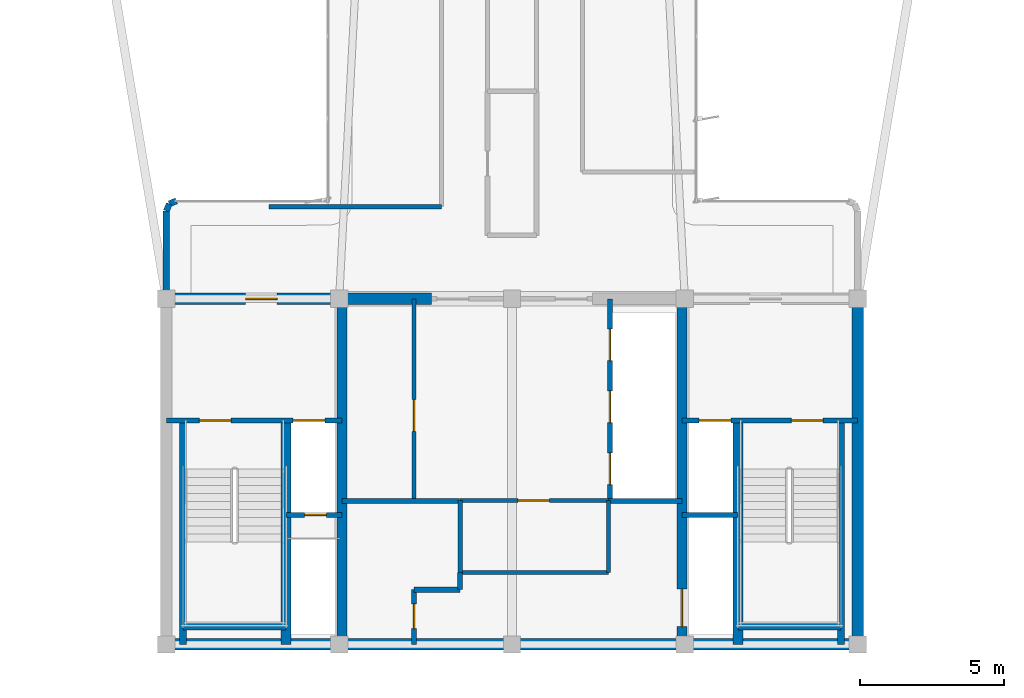
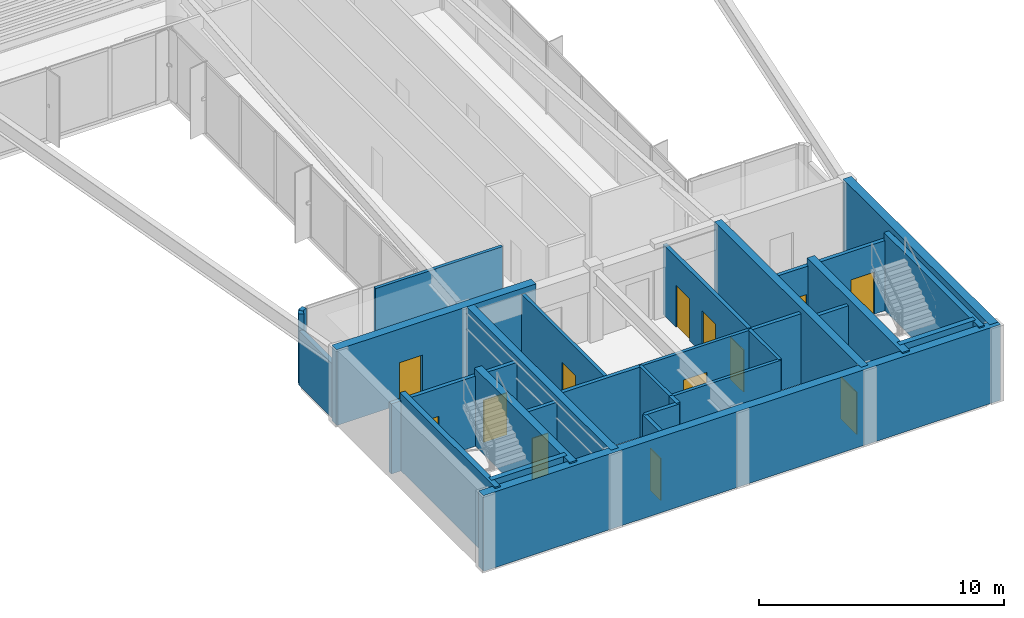
# One storey, part 10 of 16: 30 walls, 13 doors, 13 openings.
"""IFC4 building model written with IfcOpenShell, lengths in metres."""

import ifcopenshell
import ifcopenshell.guid

model = None  # the IFC model being written
_history = None  # IfcOwnerHistory: only IFC2X3 demands one
_inside = {}  # id of a spatial element -> (the spatial element, [elements in it])
_under = {}  # id of a project, library or spatial element -> (it, [spatial elements below it])
_declared = {}  # id of a project -> (the project, [libraries it declares])
_typed = {}  # id of a type object -> (the type object, [elements of that type])
_made_of = {}  # id of a material, layer set ... -> (it, [elements and type objects made of it])


def new_model(schema):
    """Start an empty IFC model of exactly this schema.

    Asked for "IFC4X3", IfcOpenShell would pick the latest addendum, in which some entities
    have other attributes; the version numbers below select the first issue.
    IFC2X3 requires an IfcOwnerHistory on every rooted entity: one is made here for all.
    """
    global model, _history
    if schema == "IFC4X3":
        model = ifcopenshell.file(schema_version=(4, 3, 0, 0))
    else:
        model = ifcopenshell.file(schema=schema)
    _inside.clear()
    _under.clear()
    _declared.clear()
    _typed.clear()
    _made_of.clear()
    _history = None
    if model.schema == "IFC2X3":
        org = make("IfcOrganization", Name="unknown")
        user = make(
            "IfcPersonAndOrganization",
            ThePerson=make("IfcPerson", FamilyName="unknown"),
            TheOrganization=org,
        )
        app = make(
            "IfcApplication",
            ApplicationDeveloper=org,
            Version="unknown",
            ApplicationFullName="unknown",
            ApplicationIdentifier="unknown",
        )
        _history = make(
            "IfcOwnerHistory",
            OwningUser=user,
            OwningApplication=app,
            ChangeAction="ADDED",
            CreationDate=0,
        )
    return model


def make(cls, **values):
    """One entity of the class cls with the attributes given. An attribute that is None is left unset."""
    return model.create_entity(
        cls, **{name: value for name, value in values.items() if value is not None}
    )


def rooted(cls, **values):
    """An entity with a GlobalId (a new one), such as an element, a storey or a relation."""
    return make(cls, GlobalId=ifcopenshell.guid.new(), OwnerHistory=_history, **values)


def si_unit(unit_type, name, prefix=None):
    """IfcSIUnit, for example si_unit("LENGTHUNIT", "METRE", prefix="MILLI")."""
    return make("IfcSIUnit", UnitType=unit_type, Prefix=prefix, Name=name)


def assignment(units):
    """IfcUnitAssignment: the units of a project."""
    return None if units is None else make("IfcUnitAssignment", Units=units)


def point(xyz):
    """IfcCartesianPoint."""
    return None if xyz is None else make("IfcCartesianPoint", Coordinates=xyz)


def direction(xyz):
    """IfcDirection."""
    return None if xyz is None else make("IfcDirection", DirectionRatios=xyz)


def frame(location, z_axis=None, x_axis=None):
    """IfcAxis2Placement3D, a coordinate frame: its origin and axes. An axis left out is left unset."""
    return make(
        "IfcAxis2Placement3D",
        Location=point(location),
        Axis=direction(z_axis),
        RefDirection=direction(x_axis),
    )


def frame_2d(location, x_axis=None):
    """IfcAxis2Placement2D, a coordinate frame in the plane: its origin and x axis."""
    return make(
        "IfcAxis2Placement2D", Location=point(location), RefDirection=direction(x_axis)
    )


def origin():
    """The frame at (0, 0, 0) with its axes left unset."""
    return frame((0.0, 0.0, 0.0))


def origin_2d():
    """The frame at (0, 0) in the plane with its x axis left unset."""
    return frame_2d((0.0, 0.0))


def place(relative_to, where):
    """IfcLocalPlacement: puts the frame where relative to a parent placement (None: the world)."""
    return make(
        "IfcLocalPlacement", PlacementRelTo=relative_to, RelativePlacement=where
    )


def context(
    kind, dimensions, precision=None, world=None, true_north=None, identifier=None
):
    """IfcGeometricRepresentationContext, for example the 3D "Model" context."""
    return make(
        "IfcGeometricRepresentationContext",
        ContextIdentifier=identifier,
        ContextType=kind,
        CoordinateSpaceDimension=dimensions,
        Precision=precision,
        WorldCoordinateSystem=world,
        TrueNorth=true_north,
    )


def subcontext(parent, identifier, kind, view, scale=None):
    """IfcGeometricRepresentationSubContext, for example "Body" below "Model"."""
    return make(
        "IfcGeometricRepresentationSubContext",
        ContextIdentifier=identifier,
        ContextType=kind,
        ParentContext=parent,
        TargetScale=scale,
        TargetView=view,
    )


def project(units=None, contexts=None):
    """IfcProject with its units and contexts."""
    return rooted(
        "IfcProject",
        Name="project",
        RepresentationContexts=contexts,
        UnitsInContext=assignment(units),
    )


def spatial(cls, under=None, at=None, **own):
    """A site, building, storey or space (cls), placed at a placement, below another one or the project."""
    s = rooted(cls, ObjectPlacement=at, **own)
    if under is not None:
        _under.setdefault(under.id(), (under, []))[1].append(s)
    return s


def profile(cls, at=None, kind="AREA", **sizes):
    """A parametric profile (cls). Its sizes go by their IFC names, for example OverallWidth=200.0."""
    return make(cls, ProfileType=kind, Position=at, **sizes)


def rectangle(**sizes):
    """IfcRectangleProfileDef."""
    return profile("IfcRectangleProfileDef", **sizes)


def extrude(swept, where, along, depth):
    """IfcExtrudedAreaSolid: the profile swept, set in the frame where, extruded along a direction by depth."""
    return make(
        "IfcExtrudedAreaSolid",
        SweptArea=swept,
        Position=where,
        ExtrudedDirection=direction(along),
        Depth=depth,
    )


def shape(context_of_items, identifier, shape_type, items):
    """IfcShapeRepresentation: the items that make up one representation, for example the "Body"."""
    return make(
        "IfcShapeRepresentation",
        ContextOfItems=context_of_items,
        RepresentationIdentifier=identifier,
        RepresentationType=shape_type,
        Items=items,
    )


def source(mapping_origin, context_of_items, identifier, shape_type, items):
    """IfcRepresentationMap: a shape defined once, which mapped items show again and again."""
    return make(
        "IfcRepresentationMap",
        MappingOrigin=mapping_origin,
        MappedRepresentation=shape(context_of_items, identifier, shape_type, items),
    )


def transform(
    local_origin,
    x_axis=None,
    y_axis=None,
    z_axis=None,
    scale=None,
    scale2=None,
    scale3=None,
    uniform=True,
):
    """IfcCartesianTransformationOperator3D, or its non-uniform kind. x_axis, y_axis, z_axis: its Axis1, 2, 3."""
    if uniform:
        return make(
            "IfcCartesianTransformationOperator3D",
            Axis1=direction(x_axis),
            Axis2=direction(y_axis),
            LocalOrigin=point(local_origin),
            Scale=scale,
            Axis3=direction(z_axis),
        )
    return make(
        "IfcCartesianTransformationOperator3DnonUniform",
        Axis1=direction(x_axis),
        Axis2=direction(y_axis),
        LocalOrigin=point(local_origin),
        Scale=scale,
        Axis3=direction(z_axis),
        Scale2=scale2,
        Scale3=scale3,
    )


def mapped(mapping_source, mapping_target):
    """IfcMappedItem: shows the shape of a source again, moved by a transform."""
    return make(
        "IfcMappedItem", MappingSource=mapping_source, MappingTarget=mapping_target
    )


def material(Name=None, Category=None):
    """IfcMaterial."""
    return make("IfcMaterial", Name=Name, Category=Category)


def layer(
    of_material, thickness, ventilated=None, Name=None, Category=None, Priority=None
):
    """IfcMaterialLayer: one layer of a wall or slab, of a material (None: an air gap)."""
    return make(
        "IfcMaterialLayer",
        Material=of_material,
        LayerThickness=thickness,
        IsVentilated=ventilated,
        Name=Name,
        Category=Category,
        Priority=Priority,
    )


def layer_set(layers, Name=None):
    """IfcMaterialLayerSet."""
    return make("IfcMaterialLayerSet", MaterialLayers=layers, LayerSetName=Name)


def made_of(thing, what):
    """Note that an element or type object is made of a material, layer set ...; save() writes the relation."""
    if what is not None:
        _made_of.setdefault(what.id(), (what, []))[1].append(thing)
    return thing


def type_object(cls, material=None, **own):
    """A type object (cls), such as IfcWallType, which elements share."""
    return made_of(rooted(cls, **own), material)


def element(
    cls,
    number,
    at=None,
    inside=None,
    cuts=None,
    type_object=None,
    material=None,
    context=None,
    identifier="Body",
    shape_type=None,
    held_by="IfcProductDefinitionShape",
    body=None,
    shapes=None,
    **own,
):
    """One element of the class cls, such as IfcWall. Its Tag is "e" and its number.

    at: its placement. inside: the storey or other place that contains it. cuts: it is an
    opening in that element (IfcRelVoidsElement). A single representation is given by context,
    identifier, shape_type and body (its items); several are given by shapes. held_by: the class
    of the entity that holds the representations. save() writes the other relations.
    """
    e = rooted(cls, Tag="e%d" % number, ObjectPlacement=at, **own)
    if body is not None:
        shapes = [shape(context, identifier, shape_type, body)]
    if shapes is not None:
        e.Representation = make(held_by, Representations=shapes)
    if inside is not None:
        _inside.setdefault(inside.id(), (inside, []))[1].append(e)
    if cuts is not None:
        rooted(
            "IfcRelVoidsElement", RelatingBuildingElement=cuts, RelatedOpeningElement=e
        )
    if type_object is not None:
        _typed.setdefault(type_object.id(), (type_object, []))[1].append(e)
    return made_of(e, material)


def fill(opening, filler):
    """IfcRelFillsElement: the door or window that sits in an opening."""
    return rooted(
        "IfcRelFillsElement",
        RelatingOpeningElement=opening,
        RelatedBuildingElement=filler,
    )


def aggregate(whole, parts):
    """IfcRelAggregates: a whole, such as a stair, and the parts it consists of."""
    return rooted("IfcRelAggregates", RelatingObject=whole, RelatedObjects=parts)


def save(model, path):
    """Write the relations noted so far, then the file.

    IfcRelAggregates (storeys below a building ...), IfcRelContainedInSpatialStructure (elements
    in a storey), IfcRelDefinesByType, IfcRelAssociatesMaterial and IfcRelDeclares: one each for
    every whole, place, type object, material and project.
    """
    for whole, parts in _under.values():
        aggregate(whole, parts)
    for where, things in _inside.values():
        rooted(
            "IfcRelContainedInSpatialStructure",
            RelatedElements=things,
            RelatingStructure=where,
        )
    for kind, things in _typed.values():
        rooted("IfcRelDefinesByType", RelatedObjects=things, RelatingType=kind)
    for what, things in _made_of.values():
        rooted("IfcRelAssociatesMaterial", RelatedObjects=things, RelatingMaterial=what)
    for by, libraries in _declared.values():
        rooted("IfcRelDeclares", RelatingContext=by, RelatedDefinitions=libraries)
    model.write(path)


model = new_model("IFC4")

# Units and contexts
model_context = context("Model", 3, precision=1e-05, world=origin(), true_north=direction((0.0, 1.0)))
body_context = subcontext(model_context, "Body", "Model", "MODEL_VIEW")
ifc_project = project(units=[si_unit("LENGTHUNIT", "METRE"), si_unit("AREAUNIT", "SQUARE_METRE"), si_unit("VOLUMEUNIT", "CUBIC_METRE"), si_unit("PLANEANGLEUNIT", "RADIAN"), si_unit("MASSUNIT", "GRAM", prefix="KILO")], contexts=[model_context])

# Site, building, storey
site_placement = place(None, origin())
site = spatial("IfcSite", under=ifc_project, at=site_placement, CompositionType="ELEMENT")
building_placement = place(site_placement, origin())
building = spatial("IfcBuilding", under=site, at=building_placement, Name="Brelvock Crest Care Tower", CompositionType="ELEMENT")
storey_placement = place(building_placement, frame((0.0, 0.0, 226.800048828125)))
storey = spatial("IfcBuildingStorey", under=building, at=storey_placement, Name="L57", CompositionType="ELEMENT", Elevation=226.800048828125)

# Walls
ifc_material_1 = material(Name="Concrete S65 (65 MPa)", Category="concrete")
ifc_layer_1 = layer(ifc_material_1, 0.39990234375, Name="WL-CS4")
ifc_layer_set_1 = layer_set([ifc_layer_1], Name="Concrete S65 (65 MPa)")
wall_type_1 = type_object("IfcWallType", Name="WL-CS4", PredefinedType="SHEAR", material=ifc_layer_set_1)
wall_1_placement = place(storey_placement, frame((48.199951171875, 6.0, 0.0), z_axis=(0.0, 0.0, 1.0), x_axis=(-1.0, 0.0, 0.0)))
element("IfcWall", 1, at=wall_1_placement, inside=storey, type_object=wall_type_1, Name="L57 Core South Shear Wall", PredefinedType="SHEAR", context=body_context, shape_type="SweptSolid", body=[
    extrude(rectangle(XDim=24.39990234375, YDim=0.39990234375, at=frame_2d((12.199951171875, 0.0))), origin(), (0.0, 0.0, 1.0), 3.780029296875),
])
wall_2_placement = place(storey_placement, frame((48.0, 18.0, 0.0), z_axis=(0.0, 0.0, 1.0), x_axis=(0.0, -1.0, 0.0)))
element("IfcWall", 2, at=wall_2_placement, inside=storey, type_object=wall_type_1, Name="L57 Core East Shear Wall", PredefinedType="SHEAR", context=body_context, shape_type="SweptSolid", body=[
    extrude(rectangle(XDim=12.0, YDim=0.39990234375, at=frame_2d((6.0, 0.0))), origin(), (0.0, 0.0, 1.0), 3.780029296875),
])

# Wall, opening, door
wall_3_placement = place(storey_placement, frame((23.800048828125, 18.0, 0.0), z_axis=(0.0, 0.0, 1.0), x_axis=(1.0, 0.0, 0.0)))
wall_3 = element("IfcWall", 3, at=wall_3_placement, inside=storey, type_object=wall_type_1, Name="L57 Core North-West Shear Wall", PredefinedType="SHEAR", context=body_context, shape_type="SweptSolid", body=[
    extrude(rectangle(XDim=9.39990234375, YDim=0.39990234375, at=frame_2d((4.699951171875, 0.0))), origin(), (0.0, 0.0, 1.0), 3.780029296875),
])
opening_1_placement = place(wall_3_placement, frame((2.949951171875, 0.0, 0.0)))
opening_1 = element("IfcOpeningElement", 4, at=opening_1_placement, cuts=wall_3, Name="Opening FD-1", PredefinedType="OPENING", context=body_context, shape_type="SweptSolid", body=[
    extrude(rectangle(XDim=1.10009765625, YDim=2.10009765625, at=origin_2d()), frame((0.550048828125, 0.2099609375, 1.050048828125), z_axis=(0.0, -1.0, 0.0), x_axis=(1.0, 0.0, 0.0)), (0.0, 0.0, 1.0), 0.419921875),
])
ifc_material_2 = material(Name="Steel Grade 350", Category="steel")
door_type_1 = type_object("IfcDoorType", Name="DR-FFL1", OperationType="NOTDEFINED", PredefinedType="DOOR", material=ifc_material_2)
shared_shape_1 = source(origin(), body_context, "Body", "SweptSolid", [
    extrude(rectangle(XDim=1.10009765625, YDim=2.10009765625, at=origin_2d()), frame((0.550048828125, 0.02490234375, 1.050048828125), z_axis=(0.0, -1.0, 0.0), x_axis=(1.0, 0.0, 0.0)), (0.0, 0.0, 1.0), 0.050048828125),
])
door_1_placement = place(opening_1_placement, origin())
door_1 = element("IfcDoor", 5, at=door_1_placement, inside=storey, type_object=door_type_1, Name="L57 Firefighting Lobby FFL-1 Exit Door", OperationType="SINGLE_SWING_LEFT", OverallHeight=2.10009765625, OverallWidth=1.10009765625, PredefinedType="DOOR", context=body_context, shape_type="MappedRepresentation", body=[
    mapped(shared_shape_1, transform((0.0, 0.0, 0.0), x_axis=(1.0, 0.0, 0.0), y_axis=(0.0, 1.0, 0.0), z_axis=(0.0, 0.0, 1.0), scale=1.0)),
])
fill(opening_1, door_1)

# Wall
ifc_material_3 = material(Name="Concrete S80 (80 MPa)", Category="concrete")
ifc_layer_2 = layer(ifc_material_3, 0.35009765625, Name="WL-CS5")
ifc_layer_set_2 = layer_set([ifc_layer_2], Name="Concrete S80 (80 MPa)")
wall_type_2 = type_object("IfcWallType", Name="WL-CS5", PredefinedType="SHEAR", material=ifc_layer_set_2)
wall_4_placement = place(storey_placement, frame((30.10009765625, 6.0, 0.0), z_axis=(0.0, 0.0, 1.0), x_axis=(0.0, 1.0, 0.0)))
element("IfcWall", 6, at=wall_4_placement, inside=storey, type_object=wall_type_2, Name="L57 Core Internal Web Wall West", PredefinedType="SHEAR", context=body_context, shape_type="SweptSolid", body=[
    extrude(rectangle(XDim=12.0, YDim=0.35009765625, at=frame_2d((6.0, 0.0))), origin(), (0.0, 0.0, 1.0), 3.780029296875),
])

# Wall, opening, door
wall_5_placement = place(storey_placement, frame((41.89990234375, 18.0, 0.0), z_axis=(0.0, 0.0, 1.0), x_axis=(0.0, -1.0, 0.0)))
wall_5 = element("IfcWall", 7, at=wall_5_placement, inside=storey, type_object=wall_type_2, Name="L57 Core Internal Web Wall East", PredefinedType="SHEAR", context=body_context, shape_type="SweptSolid", body=[
    extrude(rectangle(XDim=12.0, YDim=0.35009765625, at=frame_2d((6.0, 0.0))), origin(), (0.0, 0.0, 1.0), 3.780029296875),
])
opening_2_placement = place(wall_5_placement, frame((10.080078125, 0.0, 0.0)))
opening_2 = element("IfcOpeningElement", 8, at=opening_2_placement, cuts=wall_5, Name="Opening LD-S", PredefinedType="OPENING", context=body_context, shape_type="SweptSolid", body=[
    extrude(rectangle(XDim=1.300048828125, YDim=2.10009765625, at=origin_2d()), frame((0.64990234375, 0.18505859375, 1.050048828125), z_axis=(0.0, -1.0, 0.0), x_axis=(1.0, 0.0, 0.0)), (0.0, 0.0, 1.0), 0.3701171875),
])
door_type_2 = type_object("IfcDoorType", Name="DR-LDS1", OperationType="NOTDEFINED", PredefinedType="DOOR", material=ifc_material_2)
shared_shape_2 = source(origin(), body_context, "Body", "SweptSolid", [
    extrude(rectangle(XDim=1.300048828125, YDim=2.10009765625, at=origin_2d()), frame((0.64990234375, 0.02490234375, 1.050048828125), z_axis=(0.0, -1.0, 0.0), x_axis=(1.0, 0.0, 0.0)), (0.0, 0.0, 1.0), 0.050048828125),
])
door_2_placement = place(opening_2_placement, origin())
door_2 = element("IfcDoor", 9, at=door_2_placement, inside=storey, type_object=door_type_2, Name="L57 Clinical Bed Lift SL-1 Landing Door", OperationType="SLIDING_TO_LEFT", OverallHeight=2.10009765625, OverallWidth=1.300048828125, PredefinedType="DOOR", context=body_context, shape_type="MappedRepresentation", body=[
    mapped(shared_shape_2, transform((0.0, 0.0, 0.0), x_axis=(1.0, 0.0, 0.0), y_axis=(0.0, 1.0, 0.0), z_axis=(0.0, 0.0, 1.0), scale=1.0)),
])
fill(opening_2, door_2)

# Walls
for number, where, z_axis, x_axis, name in (
    (10, (28.14990234375, 6.0, 0.0), (0.0, 0.0, 1.0), (0.0, 1.0, 0.0), "L57 Core Stair ST-1 East Shear Wall"),
    (11, (43.85009765625, 6.0, 0.0), (0.0, 0.0, 1.0), (0.0, 1.0, 0.0), "L57 Core Stair ST-2 West Shear Wall"),
):
    element("IfcWall", number, at=place(storey_placement, frame(where, z_axis=z_axis, x_axis=x_axis)), inside=storey, type_object=wall_type_2, Name=name, PredefinedType="SHEAR", context=body_context, shape_type="SweptSolid", body=[
        extrude(rectangle(XDim=7.780029296875, YDim=0.35009765625, at=frame_2d((3.89013671875, 0.0))), origin(), (0.0, 0.0, 1.0), 3.849853515625),
    ])
ifc_layer_3 = layer(ifc_material_3, 0.25, Name="WL-CS6")
ifc_layer_set_3 = layer_set([ifc_layer_3], Name="Concrete S80 (80 MPa)")
wall_type_3 = type_object("IfcWallType", Name="WL-CS6", PredefinedType="SHEAR", material=ifc_layer_set_3)
wall_6_placement = place(storey_placement, frame((24.580078125, 6.0, 0.0), z_axis=(0.0, 0.0, 1.0), x_axis=(0.0, 1.0, 0.0)))
element("IfcWall", 12, at=wall_6_placement, inside=storey, type_object=wall_type_3, Name="L57 Core Stair ST-1 West Shear Wall", PredefinedType="SHEAR", context=body_context, shape_type="SweptSolid", body=[
    extrude(rectangle(XDim=7.780029296875, YDim=0.25, at=frame_2d((3.89013671875, 0.0))), origin(), (0.0, 0.0, 1.0), 3.849853515625),
])
wall_7_placement = place(storey_placement, frame((24.580078125, 6.6201171875, 0.0), z_axis=(0.0, 0.0, 1.0), x_axis=(1.0, 0.0, 0.0)))
element("IfcWall", 13, at=wall_7_placement, inside=storey, type_object=wall_type_3, Name="L57 Core Stair ST-1 South Shear Wall", PredefinedType="SHEAR", context=body_context, shape_type="SweptSolid", body=[
    extrude(rectangle(XDim=3.56982421875, YDim=0.25, at=frame_2d((1.784912109375, 0.0))), origin(), (0.0, 0.0, 1.0), 3.849853515625),
])
wall_8_placement = place(storey_placement, frame((47.419921875, 6.0, 0.0), z_axis=(0.0, 0.0, 1.0), x_axis=(0.0, 1.0, 0.0)))
element("IfcWall", 14, at=wall_8_placement, inside=storey, type_object=wall_type_3, Name="L57 Core Stair ST-2 East Shear Wall", PredefinedType="SHEAR", context=body_context, shape_type="SweptSolid", body=[
    extrude(rectangle(XDim=7.780029296875, YDim=0.25, at=frame_2d((3.89013671875, 0.0))), origin(), (0.0, 0.0, 1.0), 3.849853515625),
])
wall_9_placement = place(storey_placement, frame((43.85009765625, 6.6201171875, 0.0), z_axis=(0.0, 0.0, 1.0), x_axis=(1.0, 0.0, 0.0)))
element("IfcWall", 15, at=wall_9_placement, inside=storey, type_object=wall_type_3, Name="L57 Core Stair ST-2 South Shear Wall", PredefinedType="SHEAR", context=body_context, shape_type="SweptSolid", body=[
    extrude(rectangle(XDim=3.56982421875, YDim=0.25, at=frame_2d((1.784912109375, 0.0))), origin(), (0.0, 0.0, 1.0), 3.849853515625),
])
ifc_material_4 = material(Name="Precast concrete N40 (40 MPa)", Category="concrete")
ifc_layer_4 = layer(ifc_material_4, 0.215087890625, Name="WL-EX2")
ifc_layer_set_4 = layer_set([ifc_layer_4], Name="Precast concrete N40 (40 MPa)")
wall_type_4 = type_object("IfcWallType", Name="WL-EX2", PredefinedType="SOLIDWALL", material=ifc_layer_set_4)
wall_10_placement = place(storey_placement, frame((24.0, 18.280029296875, 0.0), z_axis=(0.0, 0.0, 1.0), x_axis=(0.0, 1.0, 0.0)))
element("IfcWall", 16, at=wall_10_placement, inside=storey, type_object=wall_type_4, Name="L57 Rounded Corner Wall 07", PredefinedType="SOLIDWALL", context=body_context, shape_type="SweptSolid", body=[
    extrude(rectangle(XDim=2.77001953125, YDim=0.215087890625, at=frame_2d((1.385009765625, 0.0))), origin(), (0.0, 0.0, 1.0), 2.718017578125),
])
wall_11_placement = place(storey_placement, frame((24.0, 21.050048828125, 0.0), z_axis=(0.0, 0.0, 1.0), x_axis=(0.382673670509, 0.923883575944, 0.0)))
element("IfcWall", 17, at=wall_11_placement, inside=storey, type_object=wall_type_4, Name="L57 Rounded Corner Wall 08", PredefinedType="SOLIDWALL", context=body_context, shape_type="SweptSolid", body=[
    extrude(rectangle(XDim=0.26806640625, YDim=0.215087890625, at=frame_2d((0.134033203125, 0.0))), origin(), (0.0, 0.0, 1.0), 3.530029296875),
])
wall_12_placement = place(storey_placement, frame((24.1025390625, 21.297607421875, 0.0), z_axis=(0.0, 0.0, 1.0), x_axis=(0.924205486139, 0.381895560841, 0.0)))
element("IfcWall", 18, at=wall_12_placement, inside=storey, type_object=wall_type_4, Name="L57 Rounded Corner Wall 09", PredefinedType="SOLIDWALL", context=body_context, shape_type="SweptSolid", body=[
    extrude(rectangle(XDim=0.267822265625, YDim=0.215087890625, at=frame_2d((0.1337890625, 0.0))), origin(), (0.0, 0.0, 1.0), 3.530029296875),
])

# Wall, opening, door
ifc_material_5 = material(Name="Masonry Blockwork Acoustic Partition", Category="masonry")
ifc_layer_5 = layer(ifc_material_5, 0.14990234375, Name="WL-INT1")
ifc_layer_set_5 = layer_set([ifc_layer_5], Name="Masonry Blockwork Acoustic Partition")
wall_type_5 = type_object("IfcWallType", Name="WL-INT1", PredefinedType="PARTITIONING", material=ifc_layer_set_5)
wall_13_placement = place(storey_placement, frame((32.60009765625, 11.0, 0.0), z_axis=(0.0, 0.0, 1.0), x_axis=(0.0, 1.0, 0.0)))
wall_13 = element("IfcWall", 19, at=wall_13_placement, inside=storey, type_object=wall_type_5, Name="L57 Interior Wall WL-CRCL-E-L57", PredefinedType="PARTITIONING", context=body_context, shape_type="SweptSolid", body=[
    extrude(rectangle(XDim=7.0, YDim=0.14990234375, at=frame_2d((3.5, 0.0))), origin(), (0.0, 0.0, 1.0), 3.5),
])
opening_3_placement = place(wall_13_placement, frame((2.39990234375, 0.0, 0.0)))
opening_3 = element("IfcOpeningElement", 20, at=opening_3_placement, cuts=wall_13, Name="Opening PD-1", PredefinedType="OPENING", context=body_context, shape_type="SweptSolid", body=[
    extrude(rectangle(XDim=1.10009765625, YDim=2.10009765625, at=origin_2d()), frame((0.550048828125, 0.0849609375, 1.050048828125), z_axis=(0.0, -1.0, 0.0), x_axis=(1.0, 0.0, 0.0)), (0.0, 0.0, 1.0), 0.169921875),
])
door_type_3 = type_object("IfcDoorType", Name="DR-PLT1", OperationType="NOTDEFINED", PredefinedType="DOOR", material=ifc_material_2)
shared_shape_3 = source(origin(), body_context, "Body", "SweptSolid", [
    extrude(rectangle(XDim=1.10009765625, YDim=2.10009765625, at=origin_2d()), frame((0.550048828125, 0.02490234375, 1.050048828125), z_axis=(0.0, -1.0, 0.0), x_axis=(1.0, 0.0, 0.0)), (0.0, 0.0, 1.0), 0.050048828125),
])
door_3_placement = place(opening_3_placement, origin())
door_3 = element("IfcDoor", 21, at=door_3_placement, inside=storey, type_object=door_type_3, Name="DR-CRCL1-L57", OperationType="SINGLE_SWING_LEFT", OverallHeight=2.10009765625, OverallWidth=1.10009765625, PredefinedType="DOOR", context=body_context, shape_type="MappedRepresentation", body=[
    mapped(shared_shape_3, transform((0.0, 0.0, 0.0), x_axis=(1.0, 0.0, 0.0), y_axis=(0.0, 1.0, 0.0), z_axis=(0.0, 0.0, 1.0), scale=1.0)),
])
fill(opening_3, door_3)

# Walls
wall_14_placement = place(storey_placement, frame((34.199951171875, 8.5, 0.0), z_axis=(0.0, 0.0, 1.0), x_axis=(1.0, 0.0, 0.0)))
element("IfcWall", 22, at=wall_14_placement, inside=storey, type_object=wall_type_5, Name="L57 Interior Wall WL-CRCM-S-L57", PredefinedType="PARTITIONING", context=body_context, shape_type="SweptSolid", body=[
    extrude(rectangle(XDim=5.150146484375, YDim=0.14990234375, at=frame_2d((2.5751953125, 0.0))), origin(), (0.0, 0.0, 1.0), 3.5),
])
for number, where, z_axis, x_axis, name in (
    (23, (34.199951171875, 8.5, 0.0), (0.0, 0.0, 1.0), (0.0, 1.0, 0.0), "L57 Interior Wall WL-CRCM-W-L57"),
    (24, (39.35009765625, 8.5, 0.0), (0.0, 0.0, 1.0), (0.0, 1.0, 0.0), "L57 Interior Wall WL-CRCM-E-L57"),
):
    element("IfcWall", number, at=place(storey_placement, frame(where, z_axis=z_axis, x_axis=x_axis)), inside=storey, type_object=wall_type_5, Name=name, PredefinedType="PARTITIONING", context=body_context, shape_type="SweptSolid", body=[
        extrude(rectangle(XDim=2.5, YDim=0.14990234375, at=frame_2d((1.25, 0.0))), origin(), (0.0, 0.0, 1.0), 3.5),
    ])

# Wall, opening, door
wall_15_placement = place(storey_placement, frame((34.199951171875, 11.0, 0.0), z_axis=(0.0, 0.0, 1.0), x_axis=(1.0, 0.0, 0.0)))
wall_15 = element("IfcWall", 25, at=wall_15_placement, inside=storey, type_object=wall_type_5, Name="L57 Interior Wall WL-CRCM-N-L57", PredefinedType="PARTITIONING", context=body_context, shape_type="SweptSolid", body=[
    extrude(rectangle(XDim=5.150146484375, YDim=0.14990234375, at=frame_2d((2.5751953125, 0.0))), origin(), (0.0, 0.0, 1.0), 3.5),
])
opening_4_placement = place(wall_15_placement, frame((2.0, 0.0, 0.0)))
opening_4 = element("IfcOpeningElement", 26, at=opening_4_placement, cuts=wall_15, Name="Opening PD-1", PredefinedType="OPENING", context=body_context, shape_type="SweptSolid", body=[
    extrude(rectangle(XDim=1.10009765625, YDim=2.10009765625, at=origin_2d()), frame((0.550048828125, 0.0849609375, 1.050048828125), z_axis=(0.0, -1.0, 0.0), x_axis=(1.0, 0.0, 0.0)), (0.0, 0.0, 1.0), 0.169921875),
])
door_4_placement = place(opening_4_placement, origin())
door_4 = element("IfcDoor", 27, at=door_4_placement, inside=storey, type_object=door_type_3, Name="DR-CRCM1-L57", OperationType="SINGLE_SWING_LEFT", OverallHeight=2.10009765625, OverallWidth=1.10009765625, PredefinedType="DOOR", context=body_context, shape_type="MappedRepresentation", body=[
    mapped(shared_shape_3, transform((0.0, 0.0, 0.0), x_axis=(1.0, 0.0, 0.0), y_axis=(0.0, 1.0, 0.0), z_axis=(0.0, 0.0, 1.0), scale=1.0)),
])
fill(opening_4, door_4)

# Walls
wall_16_placement = place(storey_placement, frame((27.5576171875, 21.199951171875, 0.0), z_axis=(0.0, 0.0, 1.0), x_axis=(1.0, 0.0, 0.0)))
element("IfcWall", 28, at=wall_16_placement, inside=storey, type_object=wall_type_5, Name="L57 Interior Wall WL-BX-L57-THRW-S", PredefinedType="PARTITIONING", context=body_context, shape_type="SweptSolid", body=[
    extrude(rectangle(XDim=5.992431640625, YDim=0.14990234375, at=frame_2d((2.99609375, 0.0))), origin(), (0.0, 0.0, 1.0), 3.5),
])
ifc_layer_6 = layer(ifc_material_5, 0.179931640625, Name="WL-SHF1")
ifc_layer_set_6 = layer_set([ifc_layer_6], Name="Masonry Blockwork Acoustic Partition")
wall_type_6 = type_object("IfcWallType", Name="WL-SHF1", PredefinedType="PARTITIONING", material=ifc_layer_set_6)
wall_17_placement = place(storey_placement, frame((30.10009765625, 10.97998046875, 0.0), z_axis=(0.0, 0.0, 1.0), x_axis=(1.0, 0.0, 0.0)))
element("IfcWall", 29, at=wall_17_placement, inside=storey, type_object=wall_type_6, Name="L57 Interior Wall WL-CSBW-N-L57", PredefinedType="PARTITIONING", context=body_context, shape_type="SweptSolid", body=[
    extrude(rectangle(XDim=4.079833984375, YDim=0.179931640625, at=frame_2d((2.0400390625, 0.0))), origin(), (0.0, 0.0, 1.0), 3.5),
])
wall_18_placement = place(storey_placement, frame((34.199951171875, 7.89990234375, 0.0), z_axis=(0.0, 0.0, 1.0), x_axis=(0.0, 1.0, 0.0)))
element("IfcWall", 30, at=wall_18_placement, inside=storey, type_object=wall_type_6, Name="L57 Interior Wall WL-CSBW-E2-L57", PredefinedType="PARTITIONING", context=body_context, shape_type="SweptSolid", body=[
    extrude(rectangle(XDim=0.60009765625, YDim=0.179931640625, at=frame_2d((0.300048828125, 0.0))), origin(), (0.0, 0.0, 1.0), 3.5),
])
wall_19_placement = place(storey_placement, frame((32.60009765625, 7.89990234375, 0.0), z_axis=(0.0, 0.0, 1.0), x_axis=(1.0, 0.0, 0.0)))
element("IfcWall", 31, at=wall_19_placement, inside=storey, type_object=wall_type_6, Name="L57 Interior Wall WL-CSBW-S2-L57", PredefinedType="PARTITIONING", context=body_context, shape_type="SweptSolid", body=[
    extrude(rectangle(XDim=1.599853515625, YDim=0.179931640625, at=frame_2d((0.7998046875, 0.0))), origin(), (0.0, 0.0, 1.0), 3.5),
])

# Wall, opening, door
wall_20_placement = place(storey_placement, frame((32.60009765625, 6.0, 0.0), z_axis=(0.0, 0.0, 1.0), x_axis=(0.0, 1.0, 0.0)))
wall_20 = element("IfcWall", 32, at=wall_20_placement, inside=storey, type_object=wall_type_6, Name="L57 Interior Wall WL-CSBW-E1-L57", PredefinedType="PARTITIONING", context=body_context, shape_type="SweptSolid", body=[
    extrude(rectangle(XDim=1.89990234375, YDim=0.179931640625, at=frame_2d((0.949951171875, 0.0))), origin(), (0.0, 0.0, 1.0), 3.5),
])
opening_5_placement = place(wall_20_placement, frame((0.550048828125, 0.0, 0.0)))
opening_5 = element("IfcOpeningElement", 33, at=opening_5_placement, cuts=wall_20, Name="Opening ID-1", PredefinedType="OPENING", context=body_context, shape_type="SweptSolid", body=[
    extrude(rectangle(XDim=0.860107421875, YDim=2.10009765625, at=origin_2d()), frame((0.43017578125, 0.10009765625, 1.050048828125), z_axis=(0.0, -1.0, 0.0), x_axis=(1.0, 0.0, 0.0)), (0.0, 0.0, 1.0), 0.199951171875),
])
ifc_material_6 = material(Name="Engineered Hardwood Timber", Category="wood")
door_type_4 = type_object("IfcDoorType", Name="DR-INT1", OperationType="NOTDEFINED", PredefinedType="DOOR", material=ifc_material_6)
shared_shape_4 = source(origin(), body_context, "Body", "SweptSolid", [
    extrude(rectangle(XDim=0.860107421875, YDim=2.10009765625, at=origin_2d()), frame((0.43017578125, 0.02490234375, 1.050048828125), z_axis=(0.0, -1.0, 0.0), x_axis=(1.0, 0.0, 0.0)), (0.0, 0.0, 1.0), 0.050048828125),
])
door_5_placement = place(opening_5_placement, origin())
door_5 = element("IfcDoor", 34, at=door_5_placement, inside=storey, type_object=door_type_4, Name="DR-CSBW-L57", OperationType="SINGLE_SWING_LEFT", OverallHeight=2.10009765625, OverallWidth=0.860107421875, PredefinedType="DOOR", context=body_context, shape_type="MappedRepresentation", body=[
    mapped(shared_shape_4, transform((0.0, 0.0, 0.0), x_axis=(1.0, 0.0, 0.0), y_axis=(0.0, 1.0, 0.0), z_axis=(0.0, 0.0, 1.0), scale=1.0)),
])
fill(opening_5, door_5)

# Wall
wall_21_placement = place(storey_placement, frame((39.35009765625, 10.97998046875, 0.0), z_axis=(0.0, 0.0, 1.0), x_axis=(1.0, 0.0, 0.0)))
element("IfcWall", 35, at=wall_21_placement, inside=storey, type_object=wall_type_6, Name="L57 Interior Wall WL-CSBE-N-L57", PredefinedType="PARTITIONING", context=body_context, shape_type="SweptSolid", body=[
    extrude(rectangle(XDim=2.5498046875, YDim=0.179931640625, at=frame_2d((1.27490234375, 0.0))), origin(), (0.0, 0.0, 1.0), 3.5),
])

# Wall, openings, doors
wall_22_placement = place(storey_placement, frame((24.0, 13.780029296875, 0.0), z_axis=(0.0, 0.0, 1.0), x_axis=(1.0, 0.0, 0.0)))
wall_22 = element("IfcWall", 36, at=wall_22_placement, inside=storey, type_object=wall_type_6, Name="L57 Interior Wall WL-ST1-N-L57", PredefinedType="PARTITIONING", context=body_context, shape_type="SweptSolid", body=[
    extrude(rectangle(XDim=6.10009765625, YDim=0.179931640625, at=frame_2d((3.050048828125, 0.0))), origin(), (0.0, 0.0, 1.0), 3.5),
])
opening_6_placement = place(wall_22_placement, frame((1.14990234375, 0.0, 0.0)))
opening_6 = element("IfcOpeningElement", 37, at=opening_6_placement, cuts=wall_22, Name="Opening SD-1", PredefinedType="OPENING", context=body_context, shape_type="SweptSolid", body=[
    extrude(rectangle(XDim=1.10009765625, YDim=2.10009765625, at=origin_2d()), frame((0.550048828125, 0.10009765625, 1.050048828125), z_axis=(0.0, -1.0, 0.0), x_axis=(1.0, 0.0, 0.0)), (0.0, 0.0, 1.0), 0.199951171875),
])
opening_7_placement = place(wall_22_placement, frame((4.39990234375, 0.0, 0.0)))
opening_7 = element("IfcOpeningElement", 38, at=opening_7_placement, cuts=wall_22, Name="Opening LD", PredefinedType="OPENING", context=body_context, shape_type="SweptSolid", body=[
    extrude(rectangle(XDim=1.10009765625, YDim=2.10009765625, at=origin_2d()), frame((0.550048828125, 0.10009765625, 1.050048828125), z_axis=(0.0, -1.0, 0.0), x_axis=(1.0, 0.0, 0.0)), (0.0, 0.0, 1.0), 0.199951171875),
])
door_type_5 = type_object("IfcDoorType", Name="DR-ST1", OperationType="NOTDEFINED", PredefinedType="DOOR", material=ifc_material_2)
shared_shape_5 = source(origin(), body_context, "Body", "SweptSolid", [
    extrude(rectangle(XDim=1.10009765625, YDim=2.10009765625, at=origin_2d()), frame((0.550048828125, 0.02490234375, 1.050048828125), z_axis=(0.0, -1.0, 0.0), x_axis=(1.0, 0.0, 0.0)), (0.0, 0.0, 1.0), 0.050048828125),
])
door_6_placement = place(opening_6_placement, origin())
door_6 = element("IfcDoor", 39, at=door_6_placement, inside=storey, type_object=door_type_5, Name="L57 Fire Stair ST-1 Door", OperationType="SINGLE_SWING_LEFT", OverallHeight=2.10009765625, OverallWidth=1.10009765625, PredefinedType="DOOR", context=body_context, shape_type="MappedRepresentation", body=[
    mapped(shared_shape_5, transform((0.0, 0.0, 0.0), x_axis=(1.0, 0.0, 0.0), y_axis=(0.0, 1.0, 0.0), z_axis=(0.0, 0.0, 1.0), scale=1.0)),
])
fill(opening_6, door_6)
door_type_6 = type_object("IfcDoorType", Name="DR-LD1", OperationType="NOTDEFINED", PredefinedType="DOOR", material=ifc_material_2)
shared_shape_6 = source(origin(), body_context, "Body", "SweptSolid", [
    extrude(rectangle(XDim=1.10009765625, YDim=2.10009765625, at=origin_2d()), frame((0.550048828125, 0.02490234375, 1.050048828125), z_axis=(0.0, -1.0, 0.0), x_axis=(1.0, 0.0, 0.0)), (0.0, 0.0, 1.0), 0.050048828125),
])
door_7_placement = place(opening_7_placement, origin())
door_7 = element("IfcDoor", 40, at=door_7_placement, inside=storey, type_object=door_type_6, Name="L57 Firefighting Lift FFL-1 Landing Door", OperationType="SLIDING_TO_LEFT", OverallHeight=2.10009765625, OverallWidth=1.10009765625, PredefinedType="DOOR", context=body_context, shape_type="MappedRepresentation", body=[
    mapped(shared_shape_6, transform((0.0, 0.0, 0.0), x_axis=(1.0, 0.0, 0.0), y_axis=(0.0, 1.0, 0.0), z_axis=(0.0, 0.0, 1.0), scale=1.0)),
])
fill(opening_7, door_7)

# Wall, opening, door
wall_23_placement = place(storey_placement, frame((28.14990234375, 10.5, 0.0), z_axis=(0.0, 0.0, 1.0), x_axis=(1.0, 0.0, 0.0)))
wall_23 = element("IfcWall", 41, at=wall_23_placement, inside=storey, type_object=wall_type_6, Name="L57 Interior Wall WL-FFH1-S-L57", PredefinedType="PARTITIONING", context=body_context, shape_type="SweptSolid", body=[
    extrude(rectangle(XDim=1.9501953125, YDim=0.179931640625, at=frame_2d((0.97509765625, 0.0))), origin(), (0.0, 0.0, 1.0), 3.5),
])
opening_8_placement = place(wall_23_placement, frame((0.64990234375, 0.0, 0.0)))
opening_8 = element("IfcOpeningElement", 42, at=opening_8_placement, cuts=wall_23, Name="Opening RD-1", PredefinedType="OPENING", context=body_context, shape_type="SweptSolid", body=[
    extrude(rectangle(XDim=0.760009765625, YDim=2.050048828125, at=origin_2d()), frame((0.3798828125, 0.10009765625, 1.02490234375), z_axis=(0.0, -1.0, 0.0), x_axis=(1.0, 0.0, 0.0)), (0.0, 0.0, 1.0), 0.199951171875),
])
door_type_7 = type_object("IfcDoorType", Name="DR-RIS1", OperationType="NOTDEFINED", PredefinedType="DOOR", material=ifc_material_2)
shared_shape_7 = source(origin(), body_context, "Body", "SweptSolid", [
    extrude(rectangle(XDim=0.760009765625, YDim=2.050048828125, at=origin_2d()), frame((0.3798828125, 0.02490234375, 1.02490234375), z_axis=(0.0, -1.0, 0.0), x_axis=(1.0, 0.0, 0.0)), (0.0, 0.0, 1.0), 0.050048828125),
])
door_8_placement = place(opening_8_placement, origin())
door_8 = element("IfcDoor", 43, at=door_8_placement, inside=storey, type_object=door_type_7, Name="L57 Wet Fire Riser Access Door", OperationType="SINGLE_SWING_LEFT", OverallHeight=2.050048828125, OverallWidth=0.760009765625, PredefinedType="DOOR", context=body_context, shape_type="MappedRepresentation", body=[
    mapped(shared_shape_7, transform((0.0, 0.0, 0.0), x_axis=(1.0, 0.0, 0.0), y_axis=(0.0, 1.0, 0.0), z_axis=(0.0, 0.0, 1.0), scale=1.0)),
])
fill(opening_8, door_8)

# Wall, openings, doors
wall_24_placement = place(storey_placement, frame((41.89990234375, 13.780029296875, 0.0), z_axis=(0.0, 0.0, 1.0), x_axis=(1.0, 0.0, 0.0)))
wall_24 = element("IfcWall", 44, at=wall_24_placement, inside=storey, type_object=wall_type_6, Name="L57 Interior Wall WL-ST2-N-L57", PredefinedType="PARTITIONING", context=body_context, shape_type="SweptSolid", body=[
    extrude(rectangle(XDim=6.10009765625, YDim=0.179931640625, at=frame_2d((3.050048828125, 0.0))), origin(), (0.0, 0.0, 1.0), 3.5),
])
opening_9_placement = place(wall_24_placement, frame((0.60009765625, 0.0, 0.0)))
opening_9 = element("IfcOpeningElement", 45, at=opening_9_placement, cuts=wall_24, Name="Opening LD", PredefinedType="OPENING", context=body_context, shape_type="SweptSolid", body=[
    extrude(rectangle(XDim=1.10009765625, YDim=2.10009765625, at=origin_2d()), frame((0.550048828125, 0.10009765625, 1.050048828125), z_axis=(0.0, -1.0, 0.0), x_axis=(1.0, 0.0, 0.0)), (0.0, 0.0, 1.0), 0.199951171875),
])
opening_10_placement = place(wall_24_placement, frame((3.800048828125, 0.0, 0.0)))
opening_10 = element("IfcOpeningElement", 46, at=opening_10_placement, cuts=wall_24, Name="Opening SD-1", PredefinedType="OPENING", context=body_context, shape_type="SweptSolid", body=[
    extrude(rectangle(XDim=1.10009765625, YDim=2.10009765625, at=origin_2d()), frame((0.550048828125, 0.10009765625, 1.050048828125), z_axis=(0.0, -1.0, 0.0), x_axis=(1.0, 0.0, 0.0)), (0.0, 0.0, 1.0), 0.199951171875),
])
door_9_placement = place(opening_10_placement, origin())
door_9 = element("IfcDoor", 47, at=door_9_placement, inside=storey, type_object=door_type_5, Name="L57 Fire Stair ST-2 Door", OperationType="SINGLE_SWING_RIGHT", OverallHeight=2.10009765625, OverallWidth=1.10009765625, PredefinedType="DOOR", context=body_context, shape_type="MappedRepresentation", body=[
    mapped(shared_shape_5, transform((0.0, 0.0, 0.0), x_axis=(1.0, 0.0, 0.0), y_axis=(0.0, 1.0, 0.0), z_axis=(0.0, 0.0, 1.0), scale=1.0)),
])
fill(opening_10, door_9)
door_10_placement = place(opening_9_placement, origin())
door_10 = element("IfcDoor", 48, at=door_10_placement, inside=storey, type_object=door_type_6, Name="L57 Firefighting Lift FFL-2 Landing Door", OperationType="SLIDING_TO_RIGHT", OverallHeight=2.10009765625, OverallWidth=1.10009765625, PredefinedType="DOOR", context=body_context, shape_type="MappedRepresentation", body=[
    mapped(shared_shape_6, transform((0.0, 0.0, 0.0), x_axis=(1.0, 0.0, 0.0), y_axis=(0.0, 1.0, 0.0), z_axis=(0.0, 0.0, 1.0), scale=1.0)),
])
fill(opening_9, door_10)

# Wall
wall_25_placement = place(storey_placement, frame((41.89990234375, 10.5, 0.0), z_axis=(0.0, 0.0, 1.0), x_axis=(1.0, 0.0, 0.0)))
element("IfcWall", 49, at=wall_25_placement, inside=storey, type_object=wall_type_6, Name="L57 Interior Wall WL-FFH2-S-L57", PredefinedType="PARTITIONING", context=body_context, shape_type="SweptSolid", body=[
    extrude(rectangle(XDim=1.9501953125, YDim=0.179931640625, at=frame_2d((0.97509765625, 0.0))), origin(), (0.0, 0.0, 1.0), 3.5),
])

# Wall, openings, doors
wall_26_placement = place(storey_placement, frame((39.39990234375, 11.0, 0.0), z_axis=(0.0, 0.0, 1.0), x_axis=(0.0, 1.0, 0.0)))
wall_26 = element("IfcWall", 50, at=wall_26_placement, inside=storey, type_object=wall_type_6, Name="L57 Interior Wall WL-PLH-BANK-L57", PredefinedType="PARTITIONING", context=body_context, shape_type="SweptSolid", body=[
    extrude(rectangle(XDim=7.0, YDim=0.179931640625, at=frame_2d((3.5, 0.0))), origin(), (0.0, 0.0, 1.0), 3.5),
])
opening_11_placement = place(wall_26_placement, frame((0.550048828125, 0.0, 0.0)))
opening_11 = element("IfcOpeningElement", 51, at=opening_11_placement, cuts=wall_26, Name="Opening LD", PredefinedType="OPENING", context=body_context, shape_type="SweptSolid", body=[
    extrude(rectangle(XDim=1.10009765625, YDim=2.10009765625, at=origin_2d()), frame((0.550048828125, 0.10009765625, 1.050048828125), z_axis=(0.0, -1.0, 0.0), x_axis=(1.0, 0.0, 0.0)), (0.0, 0.0, 1.0), 0.199951171875),
])
opening_12_placement = place(wall_26_placement, frame((2.699951171875, 0.0, 0.0)))
opening_12 = element("IfcOpeningElement", 52, at=opening_12_placement, cuts=wall_26, Name="Opening LD", PredefinedType="OPENING", context=body_context, shape_type="SweptSolid", body=[
    extrude(rectangle(XDim=1.10009765625, YDim=2.10009765625, at=origin_2d()), frame((0.550048828125, 0.10009765625, 1.050048828125), z_axis=(0.0, -1.0, 0.0), x_axis=(1.0, 0.0, 0.0)), (0.0, 0.0, 1.0), 0.199951171875),
])
opening_13_placement = place(wall_26_placement, frame((4.85009765625, 0.0, 0.0)))
opening_13 = element("IfcOpeningElement", 53, at=opening_13_placement, cuts=wall_26, Name="Opening LD", PredefinedType="OPENING", context=body_context, shape_type="SweptSolid", body=[
    extrude(rectangle(XDim=1.10009765625, YDim=2.10009765625, at=origin_2d()), frame((0.550048828125, 0.10009765625, 1.050048828125), z_axis=(0.0, -1.0, 0.0), x_axis=(1.0, 0.0, 0.0)), (0.0, 0.0, 1.0), 0.199951171875),
])
door_11_placement = place(opening_11_placement, origin())
door_11 = element("IfcDoor", 54, at=door_11_placement, inside=storey, type_object=door_type_6, Name="L57 Lift PL-H1 Landing Door", OperationType="SLIDING_TO_RIGHT", OverallHeight=2.10009765625, OverallWidth=1.10009765625, PredefinedType="DOOR", context=body_context, shape_type="MappedRepresentation", body=[
    mapped(shared_shape_6, transform((0.0, 0.0, 0.0), x_axis=(1.0, 0.0, 0.0), y_axis=(0.0, 1.0, 0.0), z_axis=(0.0, 0.0, 1.0), scale=1.0)),
])
fill(opening_11, door_11)
door_12_placement = place(opening_12_placement, origin())
door_12 = element("IfcDoor", 55, at=door_12_placement, inside=storey, type_object=door_type_6, Name="L57 Lift PL-H2 Landing Door", OperationType="SLIDING_TO_RIGHT", OverallHeight=2.10009765625, OverallWidth=1.10009765625, PredefinedType="DOOR", context=body_context, shape_type="MappedRepresentation", body=[
    mapped(shared_shape_6, transform((0.0, 0.0, 0.0), x_axis=(1.0, 0.0, 0.0), y_axis=(0.0, 1.0, 0.0), z_axis=(0.0, 0.0, 1.0), scale=1.0)),
])
fill(opening_12, door_12)
door_13_placement = place(opening_13_placement, origin())
door_13 = element("IfcDoor", 56, at=door_13_placement, inside=storey, type_object=door_type_6, Name="L57 Lift PL-H3 Landing Door", OperationType="SLIDING_TO_RIGHT", OverallHeight=2.10009765625, OverallWidth=1.10009765625, PredefinedType="DOOR", context=body_context, shape_type="MappedRepresentation", body=[
    mapped(shared_shape_6, transform((0.0, 0.0, 0.0), x_axis=(1.0, 0.0, 0.0), y_axis=(0.0, 1.0, 0.0), z_axis=(0.0, 0.0, 1.0), scale=1.0)),
])
fill(opening_13, door_13)

save(model, "model.ifc")
